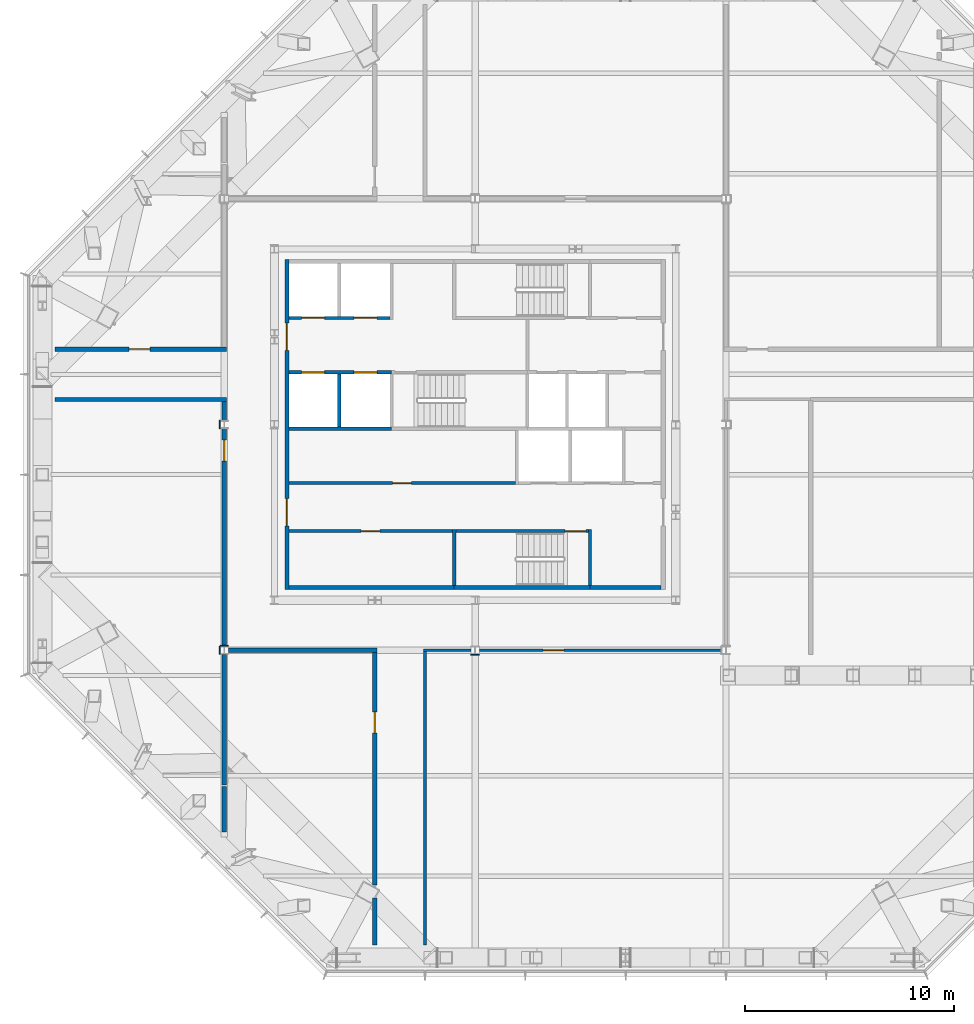
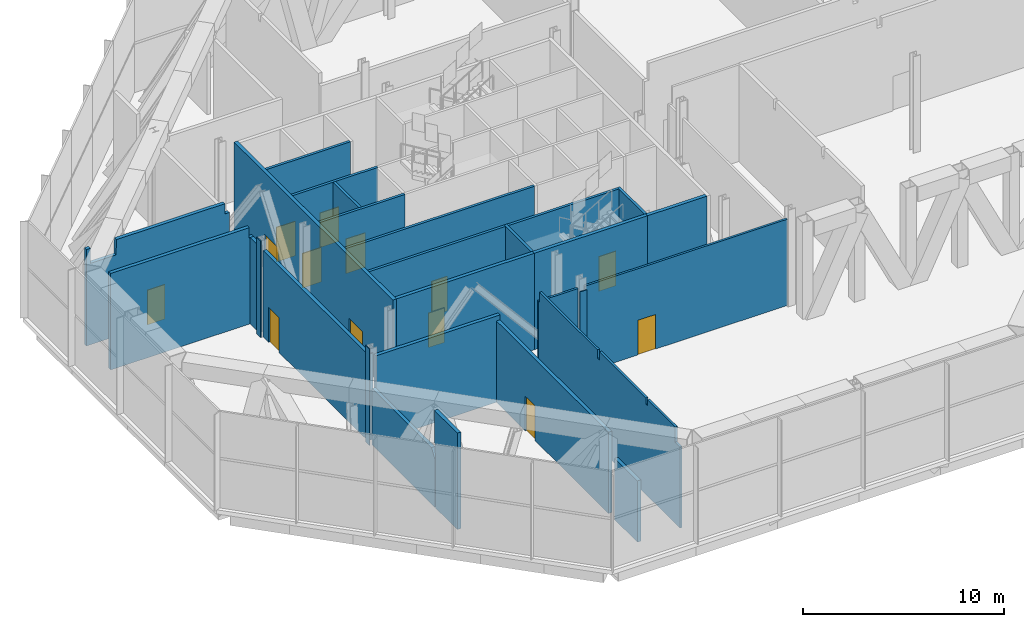
# One storey, part 13 of 18: 29 walls, 13 doors, 13 openings.
"""IFC4 building model written with IfcOpenShell, lengths in metres."""

from ifc_helpers import new_model, si_unit, direction, frame, frame_2d, origin, place, context, subcontext, project, spatial, polyline, rectangle, outline, extrude, material, layer, layer_set, type_object, element, fill, save


model = new_model("IFC4")

# Units and contexts
model_context = context("Model", 3, precision=1e-05, world=origin(), true_north=direction((0.0, 1.0)))
body_context = subcontext(model_context, "Body", "Model", "MODEL_VIEW")
ifc_project = project(units=[si_unit("LENGTHUNIT", "METRE"), si_unit("AREAUNIT", "SQUARE_METRE"), si_unit("VOLUMEUNIT", "CUBIC_METRE"), si_unit("PLANEANGLEUNIT", "RADIAN"), si_unit("MASSUNIT", "GRAM", prefix="KILO")], contexts=[model_context])

# Site, building, storey
site_placement = place(None, origin())
site = spatial("IfcSite", under=ifc_project, at=site_placement, CompositionType="ELEMENT")
building_placement = place(site_placement, origin())
building = spatial("IfcBuilding", under=site, at=building_placement, Name="Cairn Pilgrim Tower", CompositionType="ELEMENT")
storey_placement = place(building_placement, frame((0.0, 0.0, 204.60009765625)))
storey = spatial("IfcBuildingStorey", under=building, at=storey_placement, Name="L52", CompositionType="ELEMENT", Elevation=204.60009765625)

# Walls
ifc_material_1 = material(Name="Concrete C32/40", Category="concrete")
ifc_layer_1 = layer(ifc_material_1, 0.199951171875)
ifc_layer_set_1 = layer_set([ifc_layer_1], Name="CORE OUTER WALL 200 EI 120")
wall_type_1 = type_object("IfcWallType", Name="CORE OUTER WALL 200 EI 120", PredefinedType="SOLIDWALL", material=ifc_layer_set_1)
wall_1_placement = place(storey_placement, frame((-1.699951171875, -5.39990234375, 0.0), z_axis=(0.0, 0.0, 1.0), x_axis=(1.0, 0.0, 0.0)))
element("IfcWall", 1, at=wall_1_placement, inside=storey, type_object=wall_type_1, Name="CW:L52:H01-1", PredefinedType="SOLIDWALL", context=body_context, shape_type="SweptSolid", body=[
    extrude(rectangle(XDim=7.89990234375, YDim=0.199951171875, at=frame_2d((3.949951171875, 0.0))), origin(), (0.0, 0.0, 1.0), 5.849853515625),
])
wall_2_placement = place(storey_placement, frame((12.699951171875, -5.39990234375, 0.0), z_axis=(0.0, 0.0, 1.0), x_axis=(1.0, 0.0, 0.0)))
element("IfcWall", 2, at=wall_2_placement, inside=storey, type_object=wall_type_1, Name="CW:L52:H01-3", PredefinedType="SOLIDWALL", context=body_context, shape_type="SweptSolid", body=[
    extrude(rectangle(XDim=3.400146484375, YDim=0.199951171875, at=frame_2d((1.7001953125, 0.0))), origin(), (0.0, 0.0, 1.0), 5.849853515625),
])

# Wall, openings, doors
wall_3_placement = place(storey_placement, frame((-1.800048828125, -5.5, 0.0), z_axis=(0.0, 0.0, 1.0), x_axis=(0.0, 1.0, 0.0)))
wall_3 = element("IfcWall", 3, at=wall_3_placement, inside=storey, type_object=wall_type_1, Name="CW:L52:V13", PredefinedType="SOLIDWALL", context=body_context, shape_type="SweptSolid", body=[
    extrude(rectangle(XDim=15.800048828125, YDim=0.199951171875, at=frame_2d((7.89990234375, 0.0))), origin(), (0.0, 0.0, 1.0), 5.849853515625),
])
opening_1_placement = place(wall_3_placement, frame((3.050048828125, 0.0, 0.0)))
opening_1 = element("IfcOpeningElement", 4, at=opening_1_placement, cuts=wall_3, Name="Opening CD-W1", PredefinedType="OPENING", context=body_context, shape_type="SweptSolid", body=[
    extrude(rectangle(XDim=1.300048828125, YDim=2.10009765625, at=frame_2d((0.64990234375, 1.050048828125))), frame((0.0, 0.10986328125, 0.0), z_axis=(0.0, -1.0, 0.0), x_axis=(1.0, 0.0, 0.0)), (0.0, 0.0, 1.0), 0.219970703125),
])
opening_2_placement = place(wall_3_placement, frame((11.449951171875, 0.0, 0.0)))
opening_2 = element("IfcOpeningElement", 5, at=opening_2_placement, cuts=wall_3, Name="Opening CD-W2", PredefinedType="OPENING", context=body_context, shape_type="SweptSolid", body=[
    extrude(rectangle(XDim=1.300048828125, YDim=2.10009765625, at=frame_2d((0.64990234375, 1.050048828125))), frame((0.0, 0.10986328125, 0.0), z_axis=(0.0, -1.0, 0.0), x_axis=(1.0, 0.0, 0.0)), (0.0, 0.0, 1.0), 0.219970703125),
])
ifc_material_2 = material(Name="Painted steel", Category="steel")
door_type_1 = type_object("IfcDoorType", Name="CORE LOBBY DOOR 1300x2100", OperationType="DOUBLE_DOOR_SINGLE_SWING", PredefinedType="DOOR", material=ifc_material_2)
door_1_placement = place(opening_1_placement, origin())
door_1 = element("IfcDoor", 6, at=door_1_placement, inside=storey, type_object=door_type_1, Name="CD-W1", OperationType="DOUBLE_DOOR_SINGLE_SWING", OverallHeight=2.10009765625, OverallWidth=1.300048828125, PredefinedType="DOOR", context=body_context, shape_type="SweptSolid", body=[
    extrude(rectangle(XDim=1.300048828125, YDim=2.10009765625, at=frame_2d((0.64990234375, 1.050048828125))), frame((0.0, 0.02490234375, 0.0), z_axis=(0.0, -1.0, 0.0), x_axis=(1.0, 0.0, 0.0)), (0.0, 0.0, 1.0), 0.050048828125),
])
fill(opening_1, door_1)
door_2_placement = place(opening_2_placement, origin())
door_2 = element("IfcDoor", 7, at=door_2_placement, inside=storey, type_object=door_type_1, Name="CD-W2", OperationType="DOUBLE_DOOR_SINGLE_SWING", OverallHeight=2.10009765625, OverallWidth=1.300048828125, PredefinedType="DOOR", context=body_context, shape_type="SweptSolid", body=[
    extrude(rectangle(XDim=1.300048828125, YDim=2.10009765625, at=frame_2d((0.64990234375, 1.050048828125))), frame((0.0, 0.02490234375, 0.0), z_axis=(0.0, -1.0, 0.0), x_axis=(1.0, 0.0, 0.0)), (0.0, 0.0, 1.0), 0.050048828125),
])
fill(opening_2, door_2)

# Wall, opening, door
ifc_layer_2 = layer(ifc_material_1, 0.14990234375)
ifc_layer_set_2 = layer_set([ifc_layer_2], Name="CORE PARTITION 150 EI 60")
wall_type_2 = type_object("IfcWallType", Name="CORE PARTITION 150 EI 60", PredefinedType="PARTITIONING", material=ifc_layer_set_2)
wall_4_placement = place(storey_placement, frame((-1.699951171875, -2.699951171875, 0.0), z_axis=(0.0, 0.0, 1.0), x_axis=(1.0, 0.0, 0.0)))
wall_4 = element("IfcWall", 8, at=wall_4_placement, inside=storey, type_object=wall_type_2, Name="CW:L52:H02", PredefinedType="PARTITIONING", context=body_context, shape_type="SweptSolid", body=[
    extrude(rectangle(XDim=7.824951171875, YDim=0.14990234375, at=frame_2d((3.91259765625, 0.0))), origin(), (0.0, 0.0, 1.0), 5.849853515625),
])
opening_3_placement = place(wall_4_placement, frame((3.449951171875, 0.0, 0.0)))
opening_3 = element("IfcOpeningElement", 9, at=opening_3_placement, cuts=wall_4, Name="Opening RD-R1W1", PredefinedType="OPENING", context=body_context, shape_type="SweptSolid", body=[
    extrude(rectangle(XDim=0.89990234375, YDim=2.10009765625, at=frame_2d((0.449951171875, 1.050048828125))), frame((0.0, 0.0849609375, 0.0), z_axis=(0.0, -1.0, 0.0), x_axis=(1.0, 0.0, 0.0)), (0.0, 0.0, 1.0), 0.169921875),
])
door_type_2 = type_object("IfcDoorType", Name="SERVICE ROOM DOOR 900x2100", OperationType="SINGLE_SWING_LEFT", PredefinedType="DOOR", material=ifc_material_2)
door_3_placement = place(opening_3_placement, origin())
door_3 = element("IfcDoor", 10, at=door_3_placement, inside=storey, type_object=door_type_2, Name="RD-R1W1", OperationType="SINGLE_SWING_LEFT", OverallHeight=2.10009765625, OverallWidth=0.89990234375, PredefinedType="DOOR", context=body_context, shape_type="SweptSolid", body=[
    extrude(rectangle(XDim=0.89990234375, YDim=2.10009765625, at=frame_2d((0.449951171875, 1.050048828125))), frame((0.0, 0.02490234375, 0.0), z_axis=(0.0, -1.0, 0.0), x_axis=(1.0, 0.0, 0.0)), (0.0, 0.0, 1.0), 0.050048828125),
])
fill(opening_3, door_3)

wall_5_placement = place(storey_placement, frame((-1.699951171875, -0.39990234375, 0.0), z_axis=(0.0, 0.0, 1.0), x_axis=(1.0, 0.0, 0.0)))
wall_5 = element("IfcWall", 11, at=wall_5_placement, inside=storey, type_object=wall_type_2, Name="CW:L52:H04", PredefinedType="PARTITIONING", context=body_context, shape_type="SweptSolid", body=[
    extrude(rectangle(XDim=10.824951171875, YDim=0.14990234375, at=frame_2d((5.41259765625, 0.0))), origin(), (0.0, 0.0, 1.0), 5.849853515625),
])
opening_4_placement = place(wall_5_placement, frame((4.949951171875, 0.0, 0.0)))
opening_4 = element("IfcOpeningElement", 12, at=opening_4_placement, cuts=wall_5, Name="Opening RD-R2W1", PredefinedType="OPENING", context=body_context, shape_type="SweptSolid", body=[
    extrude(rectangle(XDim=0.89990234375, YDim=2.10009765625, at=frame_2d((0.449951171875, 1.050048828125))), frame((0.0, 0.0849609375, 0.0), z_axis=(0.0, -1.0, 0.0), x_axis=(1.0, 0.0, 0.0)), (0.0, 0.0, 1.0), 0.169921875),
])
door_4_placement = place(opening_4_placement, origin())
door_4 = element("IfcDoor", 13, at=door_4_placement, inside=storey, type_object=door_type_2, Name="RD-R2W1", OperationType="SINGLE_SWING_RIGHT", OverallHeight=2.10009765625, OverallWidth=0.89990234375, PredefinedType="DOOR", context=body_context, shape_type="SweptSolid", body=[
    extrude(rectangle(XDim=0.89990234375, YDim=2.10009765625, at=frame_2d((0.449951171875, 1.050048828125))), frame((0.0, 0.02490234375, 0.0), z_axis=(0.0, -1.0, 0.0), x_axis=(1.0, 0.0, 0.0)), (0.0, 0.0, 1.0), 0.050048828125),
])
fill(opening_4, door_4)

# Wall
ifc_layer_3 = layer(ifc_material_1, 0.14990234375)
ifc_layer_set_3 = layer_set([ifc_layer_3], Name="CORE SHAFT WALL 150 EI 120")
wall_type_3 = type_object("IfcWallType", Name="CORE SHAFT WALL 150 EI 120", PredefinedType="SOLIDWALL", material=ifc_layer_set_3)
wall_6_placement = place(storey_placement, frame((-1.699951171875, 2.199951171875, 0.0), z_axis=(0.0, 0.0, 1.0), x_axis=(1.0, 0.0, 0.0)))
element("IfcWall", 14, at=wall_6_placement, inside=storey, type_object=wall_type_3, Name="CW:L52:H07-1", PredefinedType="SOLIDWALL", context=body_context, shape_type="SweptSolid", body=[
    extrude(rectangle(XDim=4.89990234375, YDim=0.14990234375, at=frame_2d((2.449951171875, 0.0))), origin(), (0.0, 0.0, 1.0), 5.849853515625),
])

# Wall, openings, doors
wall_7_placement = place(storey_placement, frame((-1.699951171875, 4.89990234375, 0.0), z_axis=(0.0, 0.0, 1.0), x_axis=(1.0, 0.0, 0.0)))
wall_7 = element("IfcWall", 15, at=wall_7_placement, inside=storey, type_object=wall_type_3, Name="CW:L52:H09-1", PredefinedType="SOLIDWALL", context=body_context, shape_type="SweptSolid", body=[
    extrude(rectangle(XDim=4.89990234375, YDim=0.14990234375, at=frame_2d((2.449951171875, 0.0))), origin(), (0.0, 0.0, 1.0), 5.849853515625),
])
opening_5_placement = place(wall_7_placement, frame((0.60009765625, 0.0, 0.0)))
opening_5 = element("IfcOpeningElement", 16, at=opening_5_placement, cuts=wall_7, Name="Opening LD-HR1", PredefinedType="OPENING", context=body_context, shape_type="SweptSolid", body=[
    extrude(rectangle(XDim=1.10009765625, YDim=2.10009765625, at=frame_2d((0.550048828125, 1.050048828125))), frame((0.0, 0.0849609375, 0.0), z_axis=(0.0, -1.0, 0.0), x_axis=(1.0, 0.0, 0.0)), (0.0, 0.0, 1.0), 0.169921875),
])
opening_6_placement = place(wall_7_placement, frame((3.10009765625, 0.0, 0.0)))
opening_6 = element("IfcOpeningElement", 17, at=opening_6_placement, cuts=wall_7, Name="Opening LD-HR2", PredefinedType="OPENING", context=body_context, shape_type="SweptSolid", body=[
    extrude(rectangle(XDim=1.10009765625, YDim=2.10009765625, at=frame_2d((0.550048828125, 1.050048828125))), frame((0.0, 0.0849609375, 0.0), z_axis=(0.0, -1.0, 0.0), x_axis=(1.0, 0.0, 0.0)), (0.0, 0.0, 1.0), 0.169921875),
])
ifc_material_3 = material(Name="Stainless steel", Category="steel")
door_type_3 = type_object("IfcDoorType", Name="LIFT LANDING DOOR 1100x2100", OperationType="DOUBLE_DOOR_SLIDING", PredefinedType="DOOR", material=ifc_material_3)
door_5_placement = place(opening_5_placement, origin())
door_5 = element("IfcDoor", 18, at=door_5_placement, inside=storey, type_object=door_type_3, Name="LANDING DOOR HR1", OperationType="DOUBLE_DOOR_SLIDING", OverallHeight=2.10009765625, OverallWidth=1.10009765625, PredefinedType="DOOR", context=body_context, shape_type="SweptSolid", body=[
    extrude(rectangle(XDim=1.10009765625, YDim=2.10009765625, at=frame_2d((0.550048828125, 1.050048828125))), frame((0.0, 0.02490234375, 0.0), z_axis=(0.0, -1.0, 0.0), x_axis=(1.0, 0.0, 0.0)), (0.0, 0.0, 1.0), 0.050048828125),
])
fill(opening_5, door_5)
door_6_placement = place(opening_6_placement, origin())
door_6 = element("IfcDoor", 19, at=door_6_placement, inside=storey, type_object=door_type_3, Name="LANDING DOOR HR2", OperationType="DOUBLE_DOOR_SLIDING", OverallHeight=2.10009765625, OverallWidth=1.10009765625, PredefinedType="DOOR", context=body_context, shape_type="SweptSolid", body=[
    extrude(rectangle(XDim=1.10009765625, YDim=2.10009765625, at=frame_2d((0.550048828125, 1.050048828125))), frame((0.0, 0.02490234375, 0.0), z_axis=(0.0, -1.0, 0.0), x_axis=(1.0, 0.0, 0.0)), (0.0, 0.0, 1.0), 0.050048828125),
])
fill(opening_6, door_6)

wall_8_placement = place(storey_placement, frame((-1.699951171875, 7.5, 0.0), z_axis=(0.0, 0.0, 1.0), x_axis=(1.0, 0.0, 0.0)))
wall_8 = element("IfcWall", 20, at=wall_8_placement, inside=storey, type_object=wall_type_3, Name="CW:L52:H10", PredefinedType="SOLIDWALL", context=body_context, shape_type="SweptSolid", body=[
    extrude(rectangle(XDim=4.824951171875, YDim=0.14990234375, at=frame_2d((2.41259765625, 0.0))), origin(), (0.0, 0.0, 1.0), 5.849853515625),
])
opening_7_placement = place(wall_8_placement, frame((0.60009765625, 0.0, 0.0)))
opening_7 = element("IfcOpeningElement", 21, at=opening_7_placement, cuts=wall_8, Name="Opening LD-HR3", PredefinedType="OPENING", context=body_context, shape_type="SweptSolid", body=[
    extrude(rectangle(XDim=1.10009765625, YDim=2.10009765625, at=frame_2d((0.550048828125, 1.050048828125))), frame((0.0, 0.0849609375, 0.0), z_axis=(0.0, -1.0, 0.0), x_axis=(1.0, 0.0, 0.0)), (0.0, 0.0, 1.0), 0.169921875),
])
opening_8_placement = place(wall_8_placement, frame((3.10009765625, 0.0, 0.0)))
opening_8 = element("IfcOpeningElement", 22, at=opening_8_placement, cuts=wall_8, Name="Opening LD-HR4", PredefinedType="OPENING", context=body_context, shape_type="SweptSolid", body=[
    extrude(rectangle(XDim=1.10009765625, YDim=2.10009765625, at=frame_2d((0.550048828125, 1.050048828125))), frame((0.0, 0.0849609375, 0.0), z_axis=(0.0, -1.0, 0.0), x_axis=(1.0, 0.0, 0.0)), (0.0, 0.0, 1.0), 0.169921875),
])
door_7_placement = place(opening_7_placement, origin())
door_7 = element("IfcDoor", 23, at=door_7_placement, inside=storey, type_object=door_type_3, Name="LANDING DOOR HR3", OperationType="DOUBLE_DOOR_SLIDING", OverallHeight=2.10009765625, OverallWidth=1.10009765625, PredefinedType="DOOR", context=body_context, shape_type="SweptSolid", body=[
    extrude(rectangle(XDim=1.10009765625, YDim=2.10009765625, at=frame_2d((0.550048828125, 1.050048828125))), frame((0.0, 0.02490234375, 0.0), z_axis=(0.0, -1.0, 0.0), x_axis=(1.0, 0.0, 0.0)), (0.0, 0.0, 1.0), 0.050048828125),
])
fill(opening_7, door_7)
door_8_placement = place(opening_8_placement, origin())
door_8 = element("IfcDoor", 24, at=door_8_placement, inside=storey, type_object=door_type_3, Name="LANDING DOOR HR4", OperationType="DOUBLE_DOOR_SLIDING", OverallHeight=2.10009765625, OverallWidth=1.10009765625, PredefinedType="DOOR", context=body_context, shape_type="SweptSolid", body=[
    extrude(rectangle(XDim=1.10009765625, YDim=2.10009765625, at=frame_2d((0.550048828125, 1.050048828125))), frame((0.0, 0.02490234375, 0.0), z_axis=(0.0, -1.0, 0.0), x_axis=(1.0, 0.0, 0.0)), (0.0, 0.0, 1.0), 0.050048828125),
])
fill(opening_8, door_8)

# Walls
wall_9_placement = place(storey_placement, frame((0.699951171875, 2.27490234375, 0.0), z_axis=(0.0, 0.0, 1.0), x_axis=(0.0, 1.0, 0.0)))
element("IfcWall", 25, at=wall_9_placement, inside=storey, type_object=wall_type_3, Name="CW:L52:V14", PredefinedType="SOLIDWALL", context=body_context, shape_type="SweptSolid", body=[
    extrude(rectangle(XDim=2.550048828125, YDim=0.14990234375, at=frame_2d((1.27490234375, 0.0))), origin(), (0.0, 0.0, 1.0), 5.849853515625),
])
ifc_material_4 = material(Name="Gypsum partition")
ifc_layer_4 = layer(ifc_material_4, 0.125)
ifc_layer_set_4 = layer_set([ifc_layer_4], Name="PARTITION 125 DRYWALL EI 60")
wall_type_4 = type_object("IfcWallType", Name="PARTITION 125 DRYWALL EI 60", PredefinedType="PARTITIONING", material=ifc_layer_set_4)
wall_10_placement = place(storey_placement, frame((4.800048828125, -22.5, 0.0), z_axis=(0.0, 0.0, 1.0), x_axis=(0.0, 1.0, 0.0)))
element("IfcWall", 26, at=wall_10_placement, inside=storey, type_object=wall_type_4, Name="PARTITION W002", PredefinedType="PARTITIONING", context=body_context, shape_type="SweptSolid", body=[
    extrude(outline(polyline([(0.0, 0.0), (14.03759765625, 0.0), (14.03759765625, 5.22998046875), (13.949951171875, 5.22998046875), (13.947998046875, 5.849853515625), (8.199951171875, 5.849853515625), (8.197998046875, 5.329833984375), (8.0, 5.329833984375), (7.998046875, 5.849853515625), (3.385009765625, 5.849853515625), (3.383056640625, 5.469970703125), (3.215087890625, 5.469970703125), (3.212890625, 5.849853515625), (0.4716796875, 5.849853515625), (0.4697265625, 4.929931640625), (0.0, 4.929931640625), (0.0, 0.0)])), frame((0.0, 0.0625, 0.0), z_axis=(0.0, -1.0, 0.0), x_axis=(1.0, 0.0, 0.0)), (0.0, 0.0, 1.0), 0.125),
])
wall_11_placement = place(storey_placement, frame((4.737548828125, -8.39990234375, 0.0), z_axis=(0.0, 0.0, 1.0), x_axis=(1.0, 0.0, 0.0)))
element("IfcWall", 27, at=wall_11_placement, inside=storey, type_object=wall_type_4, Name="PARTITION W008", PredefinedType="PARTITIONING", context=body_context, shape_type="SweptSolid", body=[
    extrude(rectangle(XDim=2.262939453125, YDim=0.125, at=frame_2d((1.13134765625, 0.0))), origin(), (0.0, 0.0, 1.0), 5.22998046875),
])

# Wall, opening, door
wall_12_placement = place(storey_placement, frame((7.3994140625, -8.39990234375, 0.0), z_axis=(0.0, 0.0, 1.0), x_axis=(1.0, 0.0, 0.0)))
wall_12 = element("IfcWall", 28, at=wall_12_placement, inside=storey, type_object=wall_type_4, Name="PARTITION W009", PredefinedType="PARTITIONING", context=body_context, shape_type="SweptSolid", body=[
    extrude(rectangle(XDim=11.60107421875, YDim=0.125, at=frame_2d((5.800537109375, 0.0))), origin(), (0.0, 0.0, 1.0), 5.22998046875),
])
opening_9_placement = place(wall_12_placement, frame((3.050537109375, 0.0, 0.0)))
opening_9 = element("IfcOpeningElement", 29, at=opening_9_placement, cuts=wall_12, Name="Opening 5208", PredefinedType="OPENING", context=body_context, shape_type="SweptSolid", body=[
    extrude(rectangle(XDim=1.0, YDim=2.10009765625, at=frame_2d((0.5, 1.050048828125))), frame((0.0, 0.072509765625, 0.0), z_axis=(0.0, -1.0, 0.0), x_axis=(1.0, 0.0, 0.0)), (0.0, 0.0, 1.0), 0.14501953125),
])
ifc_material_5 = material(Name="Steel-faced fire door leaf", Category="steel")
door_type_4 = type_object("IfcDoorType", Name="FIRE DOOR 1000x2100 FD60S", OperationType="NOTDEFINED", PredefinedType="DOOR", material=ifc_material_5)
door_9_placement = place(opening_9_placement, origin())
door_9 = element("IfcDoor", 30, at=door_9_placement, inside=storey, type_object=door_type_4, Name="DOOR 5208", OperationType="SINGLE_SWING_RIGHT", OverallHeight=2.10009765625, OverallWidth=1.0, PredefinedType="DOOR", context=body_context, shape_type="SweptSolid", body=[
    extrude(rectangle(XDim=1.0, YDim=2.10009765625, at=frame_2d((0.5, 1.050048828125))), frame((0.0, 0.02490234375, 0.0), z_axis=(0.0, -1.0, 0.0), x_axis=(1.0, 0.0, 0.0)), (0.0, 0.0, 1.0), 0.050048828125),
])
fill(opening_9, door_9)

# Walls
ifc_layer_5 = layer(ifc_material_4, 0.050048828125)
ifc_layer_set_5 = layer_set([ifc_layer_5], Name="PARTITION 50 DRYWALL EI 120")
wall_type_5 = type_object("IfcWallType", Name="PARTITION 50 DRYWALL EI 120", PredefinedType="PARTITIONING", material=ifc_layer_set_5)
for number, where, z_axis, x_axis, name in (
    (31, (-5.0244140625, -8.596435546875, 0.0), (0.0, 0.0, 1.0), (0.0, 1.0, 0.0), "COLUMN CASING WC01"),
    (32, (-5.0244140625, 2.20361328125, 0.0), (0.0, 0.0, 1.0), (0.0, 1.0, 0.0), "COLUMN CASING WC02"),
):
    element("IfcWall", number, at=place(storey_placement, frame(where, z_axis=z_axis, x_axis=x_axis)), inside=storey, type_object=wall_type_5, Name=name, PredefinedType="PARTITIONING", context=body_context, shape_type="SweptSolid", body=[
        extrude(rectangle(XDim=0.392822265625, YDim=0.050048828125, at=frame_2d((0.1962890625, 0.0))), origin(), (0.0, 0.0, 1.0), 5.849853515625),
    ])
wall_13_placement = place(storey_placement, frame((-4.99951171875, -8.178466796875, 0.0), z_axis=(0.0, 0.0, 1.0), x_axis=(1.0, 0.0, 0.0)))
element("IfcWall", 33, at=wall_13_placement, inside=storey, type_object=wall_type_5, Name="COLUMN CASING WC03", PredefinedType="PARTITIONING", context=body_context, shape_type="SweptSolid", body=[
    extrude(rectangle(XDim=0.39892578125, YDim=0.050048828125, at=frame_2d((0.199462890625, 0.0))), origin(), (0.0, 0.0, 1.0), 5.22998046875),
])
ifc_layer_6 = layer(ifc_material_4, 0.050048828125)
ifc_layer_set_6 = layer_set([ifc_layer_6], Name="PARTITION 50 DRYWALL EI 60")
wall_type_6 = type_object("IfcWallType", Name="PARTITION 50 DRYWALL EI 60", PredefinedType="PARTITIONING", material=ifc_layer_set_6)
wall_14_placement = place(storey_placement, frame((7.00048828125, -8.62158203125, 0.0), z_axis=(0.0, 0.0, 1.0), x_axis=(1.0, 0.0, 0.0)))
element("IfcWall", 34, at=wall_14_placement, inside=storey, type_object=wall_type_6, Name="COLUMN CASING WC04", PredefinedType="PARTITIONING", context=body_context, shape_type="SweptSolid", body=[
    extrude(rectangle(XDim=0.39892578125, YDim=0.050048828125, at=frame_2d((0.199462890625, 0.0))), origin(), (0.0, 0.0, 1.0), 5.1298828125),
])
ifc_layer_7 = layer(ifc_material_4, 0.199951171875)
ifc_layer_set_7 = layer_set([ifc_layer_7], Name="SHAFT WALL 200 GYPSUM EI 120")
wall_type_7 = type_object("IfcWallType", Name="SHAFT WALL 200 GYPSUM EI 120", PredefinedType="PARTITIONING", material=ifc_layer_set_7)
wall_15_placement = place(storey_placement, frame((2.39990234375, -22.5, 0.0), z_axis=(0.0, 0.0, 1.0), x_axis=(0.0, 1.0, 0.0)))
element("IfcWall", 35, at=wall_15_placement, inside=storey, type_object=wall_type_7, Name="PARTITION W001", PredefinedType="PARTITIONING", context=body_context, shape_type="SweptSolid", body=[
    extrude(outline(polyline([(0.0, 0.0), (2.25390625, 0.0), (2.25390625, 1.46240234375), (2.25390625, 2.9248046875), (2.25390625, 3.720947265625), (0.0, 3.720947265625), (0.0, 2.9248046875), (0.0, 1.46240234375), (0.0, 0.0)])), frame((0.0, 0.10009765625, 0.0), z_axis=(0.0, -1.0, 0.0), x_axis=(1.0, 0.0, 0.0)), (0.0, 0.0, 1.0), 0.199951171875),
])

# Wall, opening, door
wall_16_placement = place(storey_placement, frame((2.39990234375, -19.622802734375, 0.0), z_axis=(0.0, 0.0, 1.0), x_axis=(0.0, 1.0, 0.0)))
wall_16 = element("IfcWall", 36, at=wall_16_placement, inside=storey, type_object=wall_type_7, Name="PARTITION W003", PredefinedType="PARTITIONING", context=body_context, shape_type="SweptSolid", body=[
    extrude(outline(polyline([(0.0, 0.0), (11.122802734375, 0.0), (11.122802734375, 1.46240234375), (11.122802734375, 2.9248046875), (11.122802734375, 4.387451171875), (11.122802734375, 4.929931640625), (0.0, 4.929931640625), (0.0, 4.387451171875), (0.0, 2.9248046875), (0.0, 1.46240234375), (0.0, 0.0)])), frame((0.0, 0.10009765625, 0.0), z_axis=(0.0, -1.0, 0.0), x_axis=(1.0, 0.0, 0.0)), (0.0, 0.0, 1.0), 0.199951171875),
])
opening_10_placement = place(wall_16_placement, frame((7.27294921875, 0.0, 0.0)))
opening_10 = element("IfcOpeningElement", 37, at=opening_10_placement, cuts=wall_16, Name="Opening 5207", PredefinedType="OPENING", context=body_context, shape_type="SweptSolid", body=[
    extrude(rectangle(XDim=1.0, YDim=2.10009765625, at=frame_2d((0.5, 1.050048828125))), frame((0.0, 0.10986328125, 0.0), z_axis=(0.0, -1.0, 0.0), x_axis=(1.0, 0.0, 0.0)), (0.0, 0.0, 1.0), 0.219970703125),
])
door_10_placement = place(opening_10_placement, frame((1.0, 0.0, 0.0), z_axis=(0.0, 0.0, 1.0), x_axis=(-1.0, 0.0, 0.0)))
door_10 = element("IfcDoor", 38, at=door_10_placement, inside=storey, type_object=door_type_4, Name="DOOR 5207", OperationType="SINGLE_SWING_RIGHT", OverallHeight=2.10009765625, OverallWidth=1.0, PredefinedType="DOOR", context=body_context, shape_type="SweptSolid", body=[
    extrude(rectangle(XDim=1.0, YDim=2.10009765625, at=frame_2d((0.5, 1.050048828125))), frame((0.0, 0.02490234375, 0.0), z_axis=(0.0, -1.0, 0.0), x_axis=(1.0, 0.0, 0.0)), (0.0, 0.0, 1.0), 0.050048828125),
])
fill(opening_10, door_10)

# Walls
wall_17_placement = place(storey_placement, frame((-4.800048828125, -17.0791015625, 0.0), z_axis=(0.0, 0.0, 1.0), x_axis=(0.0, 1.0, 0.0)))
element("IfcWall", 39, at=wall_17_placement, inside=storey, type_object=wall_type_7, Name="PARTITION W004", PredefinedType="PARTITIONING", context=body_context, shape_type="SweptSolid", body=[
    extrude(outline(polyline([(0.0, 0.0), (2.15478515625, 0.0), (2.15478515625, 1.46240234375), (2.15478515625, 2.9248046875), (2.28515625, 4.387451171875), (2.28515625, 5.849853515625), (0.0, 5.849853515625), (0.0, 4.387451171875), (0.0, 2.9248046875), (0.0, 1.46240234375), (0.0, 0.0)])), frame((0.0, 0.10009765625, 0.0), z_axis=(0.0, -1.0, 0.0), x_axis=(1.0, 0.0, 0.0)), (0.0, 0.0, 1.0), 0.199951171875),
])
wall_18_placement = place(storey_placement, frame((-4.800048828125, -14.84326171875, 0.0), z_axis=(0.0, 0.0, 1.0), x_axis=(0.0, 1.0, 0.0)))
element("IfcWall", 40, at=wall_18_placement, inside=storey, type_object=wall_type_7, Name="PARTITION W005", PredefinedType="PARTITIONING", context=body_context, shape_type="SweptSolid", body=[
    extrude(outline(polyline([(0.0, 0.0), (6.246826171875, 0.0), (6.246826171875, 1.46240234375), (6.246826171875, 2.9248046875), (6.246826171875, 3.423828125), (0.327392578125, 3.423828125), (0.0, 2.9248046875), (0.0, 1.46240234375), (0.0, 0.0)])), frame((0.0, 0.10009765625, 0.0), z_axis=(0.0, -1.0, 0.0), x_axis=(1.0, 0.0, 0.0)), (0.0, 0.0, 1.0), 0.199951171875),
])
wall_19_placement = place(storey_placement, frame((-4.6005859375, -8.39990234375, 0.0), z_axis=(0.0, 0.0, 1.0), x_axis=(1.0, 0.0, 0.0)))
element("IfcWall", 41, at=wall_19_placement, inside=storey, type_object=wall_type_7, Name="PARTITION W007", PredefinedType="PARTITIONING", context=body_context, shape_type="SweptSolid", body=[
    extrude(rectangle(XDim=7.1005859375, YDim=0.199951171875, at=frame_2d((3.55029296875, 0.0))), origin(), (0.0, 0.0, 1.0), 5.22998046875),
])

# Wall, opening, door
wall_20_placement = place(storey_placement, frame((-4.800048828125, -8.20361328125, 0.0), z_axis=(0.0, 0.0, 1.0), x_axis=(0.0, 1.0, 0.0)))
wall_20 = element("IfcWall", 42, at=wall_20_placement, inside=storey, type_object=wall_type_7, Name="PARTITION W010", PredefinedType="PARTITIONING", context=body_context, shape_type="SweptSolid", body=[
    extrude(rectangle(XDim=10.4072265625, YDim=0.199951171875, at=frame_2d((5.20361328125, 0.0))), origin(), (0.0, 0.0, 1.0), 5.22998046875),
])
opening_11_placement = place(wall_20_placement, frame((8.853515625, 0.0, 0.0)))
opening_11 = element("IfcOpeningElement", 43, at=opening_11_placement, cuts=wall_20, Name="Opening 5206", PredefinedType="OPENING", context=body_context, shape_type="SweptSolid", body=[
    extrude(rectangle(XDim=1.0, YDim=2.10009765625, at=frame_2d((0.5, 1.050048828125))), frame((0.0, 0.10986328125, 0.0), z_axis=(0.0, -1.0, 0.0), x_axis=(1.0, 0.0, 0.0)), (0.0, 0.0, 1.0), 0.219970703125),
])
door_11_placement = place(opening_11_placement, frame((1.0, 0.0, 0.0), z_axis=(0.0, 0.0, 1.0), x_axis=(-1.0, 0.0, 0.0)))
door_11 = element("IfcDoor", 44, at=door_11_placement, inside=storey, type_object=door_type_4, Name="DOOR 5206", OperationType="SINGLE_SWING_LEFT", OverallHeight=2.10009765625, OverallWidth=1.0, PredefinedType="DOOR", context=body_context, shape_type="SweptSolid", body=[
    extrude(rectangle(XDim=1.0, YDim=2.10009765625, at=frame_2d((0.5, 1.050048828125))), frame((0.0, 0.02490234375, 0.0), z_axis=(0.0, -1.0, 0.0), x_axis=(1.0, 0.0, 0.0)), (0.0, 0.0, 1.0), 0.050048828125),
])
fill(opening_11, door_11)

# Walls
wall_21_placement = place(storey_placement, frame((-4.800048828125, 2.596435546875, 0.0), z_axis=(0.0, 0.0, 1.0), x_axis=(0.0, 1.0, 0.0)))
element("IfcWall", 45, at=wall_21_placement, inside=storey, type_object=wall_type_7, Name="PARTITION W012", PredefinedType="PARTITIONING", context=body_context, shape_type="SweptSolid", body=[
    extrude(rectangle(XDim=0.903564453125, YDim=0.199951171875, at=frame_2d((0.45166015625, 0.0))), origin(), (0.0, 0.0, 1.0), 5.22998046875),
])
wall_22_placement = place(storey_placement, frame((-12.89990234375, 3.60009765625, 0.0), z_axis=(0.0, 0.0, 1.0), x_axis=(1.0, 0.0, 0.0)))
element("IfcWall", 46, at=wall_22_placement, inside=storey, type_object=wall_type_7, Name="PARTITION W014", PredefinedType="PARTITIONING", context=body_context, shape_type="SweptSolid", body=[
    extrude(outline(polyline([(0.0, 0.0), (8.199951171875, 0.0), (8.199951171875, 5.22998046875), (7.949951171875, 5.22998046875), (7.947998046875, 5.849853515625), (0.0, 5.849853515625), (0.0, 0.0)])), frame((0.0, 0.10009765625, 0.0), z_axis=(0.0, -1.0, 0.0), x_axis=(1.0, 0.0, 0.0)), (0.0, 0.0, 1.0), 0.199951171875),
])

# Wall, opening, door
wall_23_placement = place(storey_placement, frame((-12.89990234375, 6.0, 0.0), z_axis=(0.0, 0.0, 1.0), x_axis=(1.0, 0.0, 0.0)))
wall_23 = element("IfcWall", 47, at=wall_23_placement, inside=storey, type_object=wall_type_7, Name="PARTITION W017", PredefinedType="PARTITIONING", context=body_context, shape_type="SweptSolid", body=[
    extrude(outline(polyline([(0.0, 0.0), (8.199951171875, 0.0), (8.199951171875, 5.22998046875), (7.949951171875, 5.22998046875), (7.947998046875, 5.849853515625), (1.709228515625, 5.849853515625), (1.707275390625, 4.929931640625), (0.236328125, 4.929931640625), (0.234375, 5.849853515625), (0.0, 5.849853515625), (0.0, 0.0)])), frame((0.0, 0.10009765625, 0.0), z_axis=(0.0, -1.0, 0.0), x_axis=(1.0, 0.0, 0.0)), (0.0, 0.0, 1.0), 0.199951171875),
])
opening_12_placement = place(wall_23_placement, frame((3.550048828125, 0.0, 0.0)))
opening_12 = element("IfcOpeningElement", 48, at=opening_12_placement, cuts=wall_23, Name="Opening 5201", PredefinedType="OPENING", context=body_context, shape_type="SweptSolid", body=[
    extrude(rectangle(XDim=1.0, YDim=2.10009765625, at=frame_2d((0.5, 1.050048828125))), frame((0.0, 0.10986328125, 0.0), z_axis=(0.0, -1.0, 0.0), x_axis=(1.0, 0.0, 0.0)), (0.0, 0.0, 1.0), 0.219970703125),
])
door_12_placement = place(opening_12_placement, frame((1.0, 0.0, 0.0), z_axis=(0.0, 0.0, 1.0), x_axis=(-1.0, 0.0, 0.0)))
door_12 = element("IfcDoor", 49, at=door_12_placement, inside=storey, type_object=door_type_4, Name="DOOR 5201", OperationType="SINGLE_SWING_RIGHT", OverallHeight=2.10009765625, OverallWidth=1.0, PredefinedType="DOOR", context=body_context, shape_type="SweptSolid", body=[
    extrude(rectangle(XDim=1.0, YDim=2.10009765625, at=frame_2d((0.5, 1.050048828125))), frame((0.0, 0.02490234375, 0.0), z_axis=(0.0, -1.0, 0.0), x_axis=(1.0, 0.0, 0.0)), (0.0, 0.0, 1.0), 0.050048828125),
])
fill(opening_12, door_12)

ifc_material_6 = material(Name="Concrete C35/45", Category="concrete")
ifc_layer_8 = layer(ifc_material_6, 0.14990234375)
ifc_layer_set_8 = layer_set([ifc_layer_8], Name="STAIR SHAFT WALL 150 EI 120")
wall_type_8 = type_object("IfcWallType", Name="STAIR SHAFT WALL 150 EI 120", PredefinedType="SOLIDWALL", material=ifc_layer_set_8)
wall_24_placement = place(storey_placement, frame((6.27490234375, -2.699951171875, 0.0), z_axis=(0.0, 0.0, 1.0), x_axis=(1.0, 0.0, 0.0)))
wall_24 = element("IfcWall", 50, at=wall_24_placement, inside=storey, type_object=wall_type_8, Name="CW:L52:H03", PredefinedType="SOLIDWALL", context=body_context, shape_type="SweptSolid", body=[
    extrude(rectangle(XDim=6.35009765625, YDim=0.14990234375, at=frame_2d((3.175048828125, 0.0))), origin(), (0.0, 0.0, 1.0), 5.849853515625),
])
opening_13_placement = place(wall_24_placement, frame((5.22509765625, 0.0, 0.0)))
opening_13 = element("IfcOpeningElement", 51, at=opening_13_placement, cuts=wall_24, Name="Opening SD-A", PredefinedType="OPENING", context=body_context, shape_type="SweptSolid", body=[
    extrude(rectangle(XDim=1.0, YDim=2.10009765625, at=frame_2d((0.5, 1.050048828125))), frame((0.0, 0.0849609375, 0.0), z_axis=(0.0, -1.0, 0.0), x_axis=(1.0, 0.0, 0.0)), (0.0, 0.0, 1.0), 0.169921875),
])
door_type_5 = type_object("IfcDoorType", Name="STAIR DOOR FD60S 1000x2100", OperationType="SINGLE_SWING_LEFT", PredefinedType="DOOR", material=ifc_material_2)
door_13_placement = place(opening_13_placement, origin())
door_13 = element("IfcDoor", 52, at=door_13_placement, inside=storey, type_object=door_type_5, Name="SD-A", OperationType="SINGLE_SWING_LEFT", OverallHeight=2.10009765625, OverallWidth=1.0, PredefinedType="DOOR", context=body_context, shape_type="SweptSolid", body=[
    extrude(rectangle(XDim=1.0, YDim=2.10009765625, at=frame_2d((0.5, 1.050048828125))), frame((0.0, 0.02490234375, 0.0), z_axis=(0.0, -1.0, 0.0), x_axis=(1.0, 0.0, 0.0)), (0.0, 0.0, 1.0), 0.050048828125),
])
fill(opening_13, door_13)

# Walls
for number, where, z_axis, x_axis, name in (
    (53, (6.199951171875, -5.300048828125, 0.0), (0.0, 0.0, 1.0), (0.0, 1.0, 0.0), "CW:L52:V18"),
    (54, (12.699951171875, -5.300048828125, 0.0), (0.0, 0.0, 1.0), (0.0, 1.0, 0.0), "CW:L52:V25"),
):
    element("IfcWall", number, at=place(storey_placement, frame(where, z_axis=z_axis, x_axis=x_axis)), inside=storey, type_object=wall_type_8, Name=name, PredefinedType="SOLIDWALL", context=body_context, shape_type="SweptSolid", body=[
        extrude(rectangle(XDim=2.675048828125, YDim=0.14990234375, at=frame_2d((1.33740234375, 0.0))), origin(), (0.0, 0.0, 1.0), 5.849853515625),
    ])
ifc_layer_9 = layer(ifc_material_6, 0.199951171875)
ifc_layer_set_9 = layer_set([ifc_layer_9], Name="STAIR SHAFT WALL 200 EI 120")
wall_type_9 = type_object("IfcWallType", Name="STAIR SHAFT WALL 200 EI 120", PredefinedType="SOLIDWALL", material=ifc_layer_set_9)
wall_25_placement = place(storey_placement, frame((6.199951171875, -5.39990234375, 0.0), z_axis=(0.0, 0.0, 1.0), x_axis=(1.0, 0.0, 0.0)))
element("IfcWall", 55, at=wall_25_placement, inside=storey, type_object=wall_type_9, Name="CW:L52:H01-2", PredefinedType="SOLIDWALL", context=body_context, shape_type="SweptSolid", body=[
    extrude(rectangle(XDim=6.5, YDim=0.199951171875, at=frame_2d((3.25, 0.0))), origin(), (0.0, 0.0, 1.0), 5.849853515625),
])

save(model, "model.ifc")
